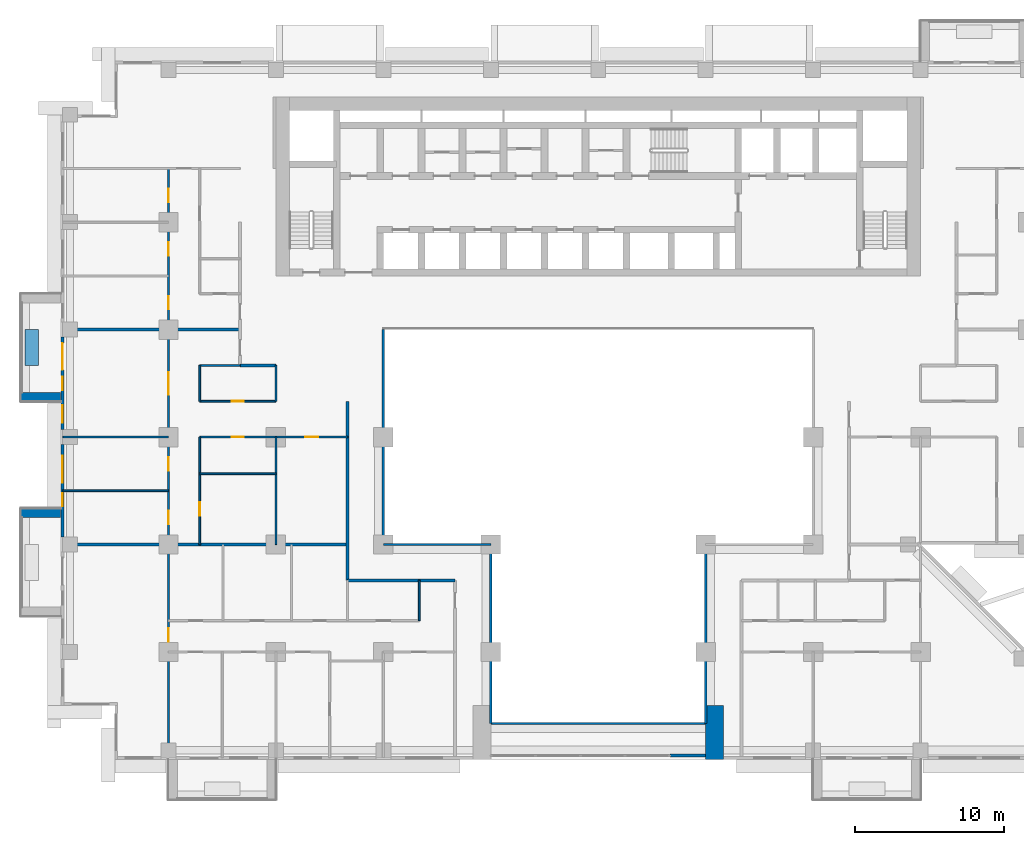
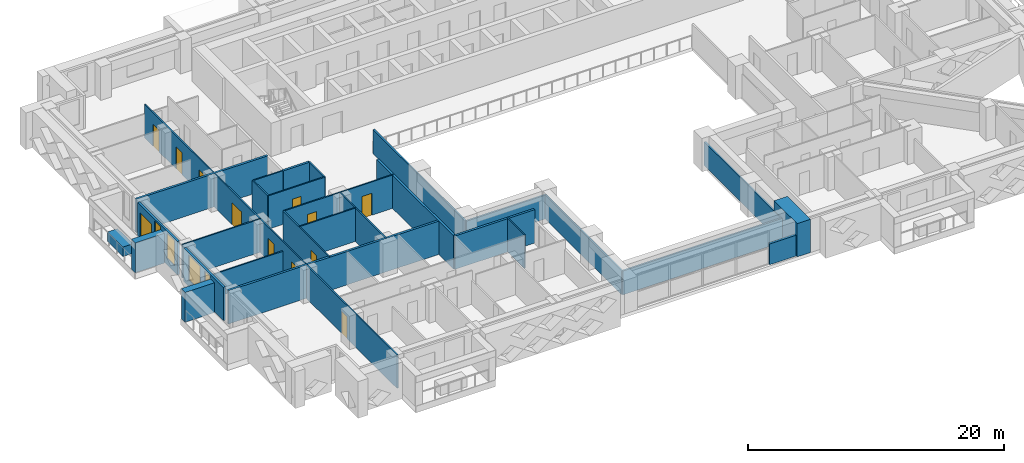
# One storey, part 7 of 16: 29 walls, 12 doors, 4 windows, 16 openings.
"""IFC4 building model written with IfcOpenShell, lengths in metres."""

from ifc_helpers import new_model, si_unit, direction, frame, frame_2d, origin, place, context, subcontext, project, spatial, rectangle, extrude, material, layer, layer_set, type_object, element, fill, save


model = new_model("IFC4")

# Units and contexts
model_context = context("Model", 3, precision=1e-05, world=origin(), true_north=direction((0.0, 1.0)))
body_context = subcontext(model_context, "Body", "Model", "MODEL_VIEW")
ifc_project = project(units=[si_unit("LENGTHUNIT", "METRE"), si_unit("AREAUNIT", "SQUARE_METRE"), si_unit("VOLUMEUNIT", "CUBIC_METRE"), si_unit("PLANEANGLEUNIT", "RADIAN"), si_unit("MASSUNIT", "GRAM", prefix="KILO")], contexts=[model_context])

# Site, building, storey
site_placement = place(None, origin())
site = spatial("IfcSite", under=ifc_project, at=site_placement, CompositionType="ELEMENT")
building_placement = place(site_placement, origin())
building = spatial("IfcBuilding", under=site, at=building_placement, Name="Saffron Iwan Residences", CompositionType="ELEMENT")
storey_placement = place(building_placement, frame((0.0, 0.0, 65.5)))
storey = spatial("IfcBuildingStorey", under=building, at=storey_placement, Name="L16", CompositionType="ELEMENT", Elevation=65.5)

# Walls
ifc_material_1 = material(Name="Fire-rated glazing", Category="glass")
ifc_layer_1 = layer(ifc_material_1, 0.14990234375)
ifc_layer_set_1 = layer_set([ifc_layer_1], Name="Fire-rated glazing")
wall_type_1 = type_object("IfcWallType", Name="Atrium glazed screen 150", PredefinedType="SOLIDWALL", material=ifc_layer_set_1)
wall_1_placement = place(storey_placement, frame((43.199951171875, 36.0, 0.0), z_axis=(0.0, 0.0, 1.0), x_axis=(1.0, 0.0, 0.0)))
element("IfcWall", 1, at=wall_1_placement, inside=storey, type_object=wall_type_1, Name="W-L16-SCREEN-h36-43.2", PredefinedType="SOLIDWALL", context=body_context, shape_type="SweptSolid", body=[
    extrude(rectangle(XDim=14.400146484375, YDim=0.14990234375, at=frame_2d((7.2001953125, 0.0))), origin(), (0.0, 0.0, 1.0), 2.280029296875),
])
wall_2_placement = place(storey_placement, frame((36.0, 48.0, 0.0), z_axis=(0.0, 0.0, 1.0), x_axis=(1.0, 0.0, 0.0)))
element("IfcWall", 2, at=wall_2_placement, inside=storey, type_object=wall_type_1, Name="W-L16-SCREEN-h48-36", PredefinedType="SOLIDWALL", context=body_context, shape_type="SweptSolid", body=[
    extrude(rectangle(XDim=7.199951171875, YDim=0.14990234375, at=frame_2d((3.60009765625, 0.0))), origin(), (0.0, 0.0, 1.0), 2.280029296875),
])
wall_3_placement = place(storey_placement, frame((36.0, 48.0, 0.0), z_axis=(0.0, 0.0, 1.0), x_axis=(0.0, 1.0, 0.0)))
element("IfcWall", 3, at=wall_3_placement, inside=storey, type_object=wall_type_1, Name="W-L16-SCREEN-v36-48", PredefinedType="SOLIDWALL", context=body_context, shape_type="SweptSolid", body=[
    extrude(rectangle(XDim=14.39990234375, YDim=0.14990234375, at=frame_2d((7.199951171875, 0.0))), origin(), (0.0, 0.0, 1.0), 2.280029296875),
])
for number, where, z_axis, x_axis, name in (
    (4, (43.199951171875, 36.0, 0.0), (0.0, 0.0, 1.0), (0.0, 1.0, 0.0), "W-L16-SCREEN-v43.2-36"),
    (5, (57.60009765625, 36.0, 0.0), (0.0, 0.0, 1.0), (0.0, 1.0, 0.0), "W-L16-SCREEN-v57.6-36"),
):
    element("IfcWall", number, at=place(storey_placement, frame(where, z_axis=z_axis, x_axis=x_axis)), inside=storey, type_object=wall_type_1, Name=name, PredefinedType="SOLIDWALL", context=body_context, shape_type="SweptSolid", body=[
        extrude(rectangle(XDim=12.0, YDim=0.14990234375, at=frame_2d((6.0, 0.0))), origin(), (0.0, 0.0, 1.0), 2.280029296875),
    ])
ifc_material_2 = material(Name="Concrete C50/60 white painted", Category="concrete")
ifc_layer_2 = layer(ifc_material_2, 0.60009765625)
ifc_layer_set_2 = layer_set([ifc_layer_2], Name="Concrete C50/60 white painted")
wall_type_2 = type_object("IfcWallType", Name="BALCONY FIN 600", PredefinedType="SOLIDWALL", material=ifc_layer_set_2)
for number, where, z_axis, x_axis, name in (
    (6, (14.35009765625, 57.89990234375, 0.0), (0.0, 0.0, 1.0), (-1.0, 0.0, 0.0), "Balcony fin L16 F8-0b"),
    (7, (14.35009765625, 50.10009765625, 0.0), (0.0, 0.0, 1.0), (-1.0, 0.0, 0.0), "Balcony fin L16 F8-1a"),
):
    element("IfcWall", number, at=place(storey_placement, frame(where, z_axis=z_axis, x_axis=x_axis)), inside=storey, type_object=wall_type_2, Name=name, PredefinedType="SOLIDWALL", context=body_context, shape_type="SweptSolid", body=[
        extrude(rectangle(XDim=2.650146484375, YDim=0.60009765625, at=frame_2d((1.3251953125, 0.0))), origin(), (0.0, 0.0, 1.0), 2.85009765625),
    ])
ifc_material_3 = material(Name="Concrete C35/45 white painted", Category="concrete")
ifc_layer_3 = layer(ifc_material_3, 0.14990234375)
ifc_layer_set_3 = layer_set([ifc_layer_3], Name="Concrete C35/45 white painted")
wall_type_3 = type_object("IfcWallType", Name="BALCONY PLANTER", PredefinedType="SOLIDWALL", material=ifc_layer_set_3)
wall_4_placement = place(storey_placement, frame((12.425048828125, 62.39990234375, 0.0), z_axis=(0.0, 0.0, 1.0), x_axis=(0.0, -1.0, 0.0)))
element("IfcWall", 8, at=wall_4_placement, inside=storey, type_object=wall_type_3, Name="PLANTER L16 F8-0", PredefinedType="SOLIDWALL", context=body_context, shape_type="SweptSolid", body=[
    extrude(rectangle(XDim=2.39990234375, YDim=0.89990234375, at=frame_2d((1.199951171875, 0.0))), origin(), (0.0, 0.0, 1.0), 0.89990234375),
])

# Wall, openings, door, windows
ifc_material_4 = material(Name="Concrete C40/50", Category="concrete")
ifc_layer_4 = layer(ifc_material_4, 0.199951171875)
ifc_layer_set_4 = layer_set([ifc_layer_4], Name="Concrete C40/50")
wall_type_4 = type_object("IfcWallType", Name="EXTERNAL WALL 200", PredefinedType="SOLIDWALL", material=ifc_layer_set_4)
wall_5_placement = place(storey_placement, frame((14.5, 61.89990234375, 0.0), z_axis=(0.0, 0.0, 1.0), x_axis=(0.0, -1.0, 0.0)))
wall_5 = element("IfcWall", 9, at=wall_5_placement, inside=storey, type_object=wall_type_4, Name="External wall L16 F8.2", PredefinedType="SOLIDWALL", context=body_context, shape_type="SweptSolid", body=[
    extrude(rectangle(XDim=6.199951171875, YDim=0.199951171875, at=frame_2d((3.10009765625, 0.0))), origin(), (0.0, 0.0, 1.0), 3.179931640625),
])
opening_1_placement = place(wall_5_placement, frame((0.39990234375, 0.0, 0.0)))
opening_1 = element("IfcOpeningElement", 10, at=opening_1_placement, cuts=wall_5, Name="Opening BD1", PredefinedType="OPENING", context=body_context, shape_type="SweptSolid", body=[
    extrude(rectangle(XDim=1.800048828125, YDim=2.39990234375, at=frame_2d((0.89990234375, 1.199951171875))), frame((0.0, 0.10986328125, 0.0), z_axis=(0.0, -1.0, 0.0), x_axis=(1.0, 0.0, 0.0)), (0.0, 0.0, 1.0), 0.219970703125),
])
opening_2_placement = place(wall_5_placement, frame((2.64990234375, 0.0, 0.60009765625)))
opening_2 = element("IfcOpeningElement", 11, at=opening_2_placement, cuts=wall_5, Name="Opening W10", PredefinedType="OPENING", context=body_context, shape_type="SweptSolid", body=[
    extrude(rectangle(XDim=0.89990234375, YDim=2.39990234375, at=frame_2d((0.449951171875, 1.199951171875))), frame((0.0, 0.10986328125, 0.0), z_axis=(0.0, -1.0, 0.0), x_axis=(1.0, 0.0, 0.0)), (0.0, 0.0, 1.0), 0.219970703125),
])
opening_3_placement = place(wall_5_placement, frame((4.550048828125, 0.0, 0.60009765625)))
opening_3 = element("IfcOpeningElement", 12, at=opening_3_placement, cuts=wall_5, Name="Opening W3", PredefinedType="OPENING", context=body_context, shape_type="SweptSolid", body=[
    extrude(rectangle(XDim=1.199951171875, YDim=2.39990234375, at=frame_2d((0.60009765625, 1.199951171875))), frame((0.0, 0.10986328125, 0.0), z_axis=(0.0, -1.0, 0.0), x_axis=(1.0, 0.0, 0.0)), (0.0, 0.0, 1.0), 0.219970703125),
])
ifc_material_5 = material(Name="Clear glass, laminated double glazed", Category="glass")
door_type_1 = type_object("IfcDoorType", Name="BALCONY DOOR 1800 x 2400", OperationType="DOUBLE_DOOR_SLIDING", PredefinedType="DOOR", material=ifc_material_5)
door_1_placement = place(opening_1_placement, origin())
door_1 = element("IfcDoor", 13, at=door_1_placement, inside=storey, type_object=door_type_1, Name="Balcony door L16 F8.0", OperationType="DOUBLE_DOOR_SLIDING", OverallHeight=2.39990234375, OverallWidth=1.800048828125, PredefinedType="DOOR", context=body_context, shape_type="SweptSolid", body=[
    extrude(rectangle(XDim=1.800048828125, YDim=2.39990234375, at=frame_2d((0.89990234375, 1.199951171875))), frame((0.0, 0.02490234375, 0.0), z_axis=(0.0, -1.0, 0.0), x_axis=(1.0, 0.0, 0.0)), (0.0, 0.0, 1.0), 0.050048828125),
])
fill(opening_1, door_1)
window_type_1 = type_object("IfcWindowType", Name="WINDOW 1200 x 2400", PartitioningType="SINGLE_PANEL", PredefinedType="WINDOW", material=ifc_material_5)
window_1_placement = place(opening_3_placement, origin())
window_1 = element("IfcWindow", 14, at=window_1_placement, inside=storey, type_object=window_type_1, Name="Window L16 F8.2", OverallHeight=2.39990234375, OverallWidth=1.199951171875, PartitioningType="SINGLE_PANEL", PredefinedType="WINDOW", context=body_context, shape_type="SweptSolid", body=[
    extrude(rectangle(XDim=1.199951171875, YDim=2.39990234375, at=frame_2d((0.60009765625, 1.199951171875))), frame((0.0, 0.030029296875, 0.0), z_axis=(0.0, -1.0, 0.0), x_axis=(1.0, 0.0, 0.0)), (0.0, 0.0, 1.0), 0.06005859375),
])
fill(opening_3, window_1)
window_type_2 = type_object("IfcWindowType", Name="WINDOW 900 x 2400", PartitioningType="SINGLE_PANEL", PredefinedType="WINDOW", material=ifc_material_5)
window_2_placement = place(opening_2_placement, origin())
window_2 = element("IfcWindow", 15, at=window_2_placement, inside=storey, type_object=window_type_2, Name="Window L16 F8.1", OverallHeight=2.39990234375, OverallWidth=0.89990234375, PartitioningType="SINGLE_PANEL", PredefinedType="WINDOW", context=body_context, shape_type="SweptSolid", body=[
    extrude(rectangle(XDim=0.89990234375, YDim=2.39990234375, at=frame_2d((0.449951171875, 1.199951171875))), frame((0.0, 0.030029296875, 0.0), z_axis=(0.0, -1.0, 0.0), x_axis=(1.0, 0.0, 0.0)), (0.0, 0.0, 1.0), 0.06005859375),
])
fill(opening_2, window_2)

# Wall, openings, windows
wall_6_placement = place(storey_placement, frame((14.5, 54.699951171875, 0.0), z_axis=(0.0, 0.0, 1.0), x_axis=(0.0, -1.0, 0.0)))
wall_6 = element("IfcWall", 16, at=wall_6_placement, inside=storey, type_object=wall_type_4, Name="External wall L16 F8.3", PredefinedType="SOLIDWALL", context=body_context, shape_type="SweptSolid", body=[
    extrude(rectangle(XDim=6.199951171875, YDim=0.199951171875, at=frame_2d((3.10009765625, 0.0))), origin(), (0.0, 0.0, 1.0), 3.179931640625),
])
opening_4_placement = place(wall_6_placement, frame((3.25, 0.0, 0.60009765625)))
opening_4 = element("IfcOpeningElement", 17, at=opening_4_placement, cuts=wall_6, Name="Opening W10", PredefinedType="OPENING", context=body_context, shape_type="SweptSolid", body=[
    extrude(rectangle(XDim=0.89990234375, YDim=2.39990234375, at=frame_2d((0.449951171875, 1.199951171875))), frame((0.0, 0.10986328125, 0.0), z_axis=(0.0, -1.0, 0.0), x_axis=(1.0, 0.0, 0.0)), (0.0, 0.0, 1.0), 0.219970703125),
])
opening_5_placement = place(wall_6_placement, frame((0.75, 0.0, 0.60009765625)))
opening_5 = element("IfcOpeningElement", 18, at=opening_5_placement, cuts=wall_6, Name="Opening W8", PredefinedType="OPENING", context=body_context, shape_type="SweptSolid", body=[
    extrude(rectangle(XDim=1.800048828125, YDim=2.39990234375, at=frame_2d((0.89990234375, 1.199951171875))), frame((0.0, 0.10986328125, 0.0), z_axis=(0.0, -1.0, 0.0), x_axis=(1.0, 0.0, 0.0)), (0.0, 0.0, 1.0), 0.219970703125),
])
window_type_3 = type_object("IfcWindowType", Name="WINDOW 1800 x 2400", PartitioningType="DOUBLE_PANEL_VERTICAL", PredefinedType="WINDOW", material=ifc_material_5)
window_3_placement = place(opening_5_placement, origin())
window_3 = element("IfcWindow", 19, at=window_3_placement, inside=storey, type_object=window_type_3, Name="Window L16 F8.1", OverallHeight=2.39990234375, OverallWidth=1.800048828125, PartitioningType="DOUBLE_PANEL_VERTICAL", PredefinedType="WINDOW", context=body_context, shape_type="SweptSolid", body=[
    extrude(rectangle(XDim=1.800048828125, YDim=2.39990234375, at=frame_2d((0.89990234375, 1.199951171875))), frame((0.0, 0.030029296875, 0.0), z_axis=(0.0, -1.0, 0.0), x_axis=(1.0, 0.0, 0.0)), (0.0, 0.0, 1.0), 0.06005859375),
])
fill(opening_5, window_3)
window_4_placement = place(opening_4_placement, origin())
window_4 = element("IfcWindow", 20, at=window_4_placement, inside=storey, type_object=window_type_2, Name="Window L16 F8.0", OverallHeight=2.39990234375, OverallWidth=0.89990234375, PartitioningType="SINGLE_PANEL", PredefinedType="WINDOW", context=body_context, shape_type="SweptSolid", body=[
    extrude(rectangle(XDim=0.89990234375, YDim=2.39990234375, at=frame_2d((0.449951171875, 1.199951171875))), frame((0.0, 0.030029296875, 0.0), z_axis=(0.0, -1.0, 0.0), x_axis=(1.0, 0.0, 0.0)), (0.0, 0.0, 1.0), 0.06005859375),
])
fill(opening_4, window_4)

# Walls
wall_7_placement = place(storey_placement, frame((55.199951171875, 33.85009765625, 0.0), z_axis=(0.0, 0.0, 1.0), x_axis=(1.0, 0.0, 0.0)))
element("IfcWall", 21, at=wall_7_placement, inside=storey, type_object=wall_type_4, Name="External wall infill CWB-L16-0", PredefinedType="SOLIDWALL", context=body_context, shape_type="SweptSolid", body=[
    extrude(rectangle(XDim=2.400146484375, YDim=0.199951171875, at=frame_2d((1.2001953125, 0.0))), origin(), (0.0, 0.0, 1.0), 1.97998046875),
])
ifc_material_6 = material(Name="Fire-rated gypsum board wall")
ifc_layer_5 = layer(ifc_material_6, 0.199951171875)
ifc_layer_set_5 = layer_set([ifc_layer_5], Name="Fire-rated gypsum board wall")
wall_type_5 = type_object("IfcWallType", Name="Flat demising wall 200", PredefinedType="SOLIDWALL", material=ifc_layer_set_5)
wall_8_placement = place(storey_placement, frame((14.52490234375, 48.0, 0.0), z_axis=(0.0, 0.0, 1.0), x_axis=(1.0, 0.0, 0.0)))
element("IfcWall", 22, at=wall_8_placement, inside=storey, type_object=wall_type_5, Name="W-L16-DEMISE-h48-14.525", PredefinedType="SOLIDWALL", context=body_context, shape_type="SweptSolid", body=[
    extrude(rectangle(XDim=19.0751953125, YDim=0.199951171875, at=frame_2d((9.53759765625, 0.0))), origin(), (0.0, 0.0, 1.0), 3.179931640625),
])
wall_9_placement = place(storey_placement, frame((14.52490234375, 62.39990234375, 0.0), z_axis=(0.0, 0.0, 1.0), x_axis=(1.0, 0.0, 0.0)))
element("IfcWall", 23, at=wall_9_placement, inside=storey, type_object=wall_type_5, Name="W-L16-DEMISE-h62.4-14.525", PredefinedType="SOLIDWALL", context=body_context, shape_type="SweptSolid", body=[
    extrude(rectangle(XDim=11.875, YDim=0.199951171875, at=frame_2d((5.9375, 0.0))), origin(), (0.0, 0.0, 1.0), 3.179931640625),
])
ifc_material_7 = material(Name="Gypsum board partition")
ifc_layer_6 = layer(ifc_material_7, 0.1201171875)
ifc_layer_set_6 = layer_set([ifc_layer_6], Name="Gypsum board partition")
wall_type_6 = type_object("IfcWallType", Name="Flat partition 120", PredefinedType="PARTITIONING", material=ifc_layer_set_6)
wall_10_placement = place(storey_placement, frame((14.52490234375, 51.60009765625, 0.0), z_axis=(0.0, 0.0, 1.0), x_axis=(1.0, 0.0, 0.0)))
element("IfcWall", 24, at=wall_10_placement, inside=storey, type_object=wall_type_6, Name="W-L16-PART-h51.6-14.525", PredefinedType="PARTITIONING", context=body_context, shape_type="SweptSolid", body=[
    extrude(rectangle(XDim=7.0751953125, YDim=0.1201171875, at=frame_2d((3.53759765625, 0.0))), origin(), (0.0, 0.0, 1.0), 2.280029296875),
])
wall_11_placement = place(storey_placement, frame((23.699951171875, 52.75, 0.0), z_axis=(0.0, 0.0, 1.0), x_axis=(1.0, 0.0, 0.0)))
element("IfcWall", 25, at=wall_11_placement, inside=storey, type_object=wall_type_6, Name="W-L16-PART-h52.75-23.7", PredefinedType="PARTITIONING", context=body_context, shape_type="SweptSolid", body=[
    extrude(rectangle(XDim=5.10009765625, YDim=0.1201171875, at=frame_2d((2.550048828125, 0.0))), origin(), (0.0, 0.0, 1.0), 3.179931640625),
])
wall_12_placement = place(storey_placement, frame((14.52490234375, 55.199951171875, 0.0), z_axis=(0.0, 0.0, 1.0), x_axis=(1.0, 0.0, 0.0)))
element("IfcWall", 26, at=wall_12_placement, inside=storey, type_object=wall_type_6, Name="W-L16-PART-h55.2-14.525", PredefinedType="PARTITIONING", context=body_context, shape_type="SweptSolid", body=[
    extrude(rectangle(XDim=7.0751953125, YDim=0.1201171875, at=frame_2d((3.53759765625, 0.0))), origin(), (0.0, 0.0, 1.0), 3.179931640625),
])

# Wall, openings, doors
wall_13_placement = place(storey_placement, frame((23.699951171875, 55.199951171875, 0.0), z_axis=(0.0, 0.0, 1.0), x_axis=(1.0, 0.0, 0.0)))
wall_13 = element("IfcWall", 27, at=wall_13_placement, inside=storey, type_object=wall_type_6, Name="W-L16-PART-h55.2-23.7", PredefinedType="PARTITIONING", context=body_context, shape_type="SweptSolid", body=[
    extrude(rectangle(XDim=9.900146484375, YDim=0.1201171875, at=frame_2d((4.9501953125, 0.0))), origin(), (0.0, 0.0, 1.0), 3.179931640625),
])
opening_6_placement = place(wall_13_placement, frame((2.14990234375, 0.0, 0.0)))
opening_6 = element("IfcOpeningElement", 28, at=opening_6_placement, cuts=wall_13, Name="Opening FD3", PredefinedType="OPENING", context=body_context, shape_type="SweptSolid", body=[
    extrude(rectangle(XDim=0.800048828125, YDim=2.10009765625, at=frame_2d((0.39990234375, 1.050048828125))), frame((0.0, 0.070068359375, 0.0), z_axis=(0.0, -1.0, 0.0), x_axis=(1.0, 0.0, 0.0)), (0.0, 0.0, 1.0), 0.14013671875),
])
opening_7_placement = place(wall_13_placement, frame((7.050048828125, 0.0, 0.0)))
opening_7 = element("IfcOpeningElement", 29, at=opening_7_placement, cuts=wall_13, Name="Opening FD2", PredefinedType="OPENING", context=body_context, shape_type="SweptSolid", body=[
    extrude(rectangle(XDim=0.89990234375, YDim=2.10009765625, at=frame_2d((0.449951171875, 1.050048828125))), frame((0.0, 0.070068359375, 0.0), z_axis=(0.0, -1.0, 0.0), x_axis=(1.0, 0.0, 0.0)), (0.0, 0.0, 1.0), 0.14013671875),
])
ifc_material_8 = material(Name="Timber door", Category="wood")
door_type_2 = type_object("IfcDoorType", Name="Bathroom door 800", OperationType="NOTDEFINED", PredefinedType="DOOR", material=ifc_material_8)
door_2_placement = place(opening_6_placement, origin())
door_2 = element("IfcDoor", 30, at=door_2_placement, inside=storey, type_object=door_type_2, Name="Door L16-017", OperationType="SINGLE_SWING_LEFT", OverallHeight=2.10009765625, OverallWidth=0.800048828125, PredefinedType="DOOR", context=body_context, shape_type="SweptSolid", body=[
    extrude(rectangle(XDim=0.800048828125, YDim=2.10009765625, at=frame_2d((0.39990234375, 1.050048828125))), frame((0.0, 0.02490234375, 0.0), z_axis=(0.0, -1.0, 0.0), x_axis=(1.0, 0.0, 0.0)), (0.0, 0.0, 1.0), 0.050048828125),
])
fill(opening_6, door_2)
door_type_3 = type_object("IfcDoorType", Name="Flat door 900", OperationType="NOTDEFINED", PredefinedType="DOOR", material=ifc_material_8)
door_3_placement = place(opening_7_placement, origin())
door_3 = element("IfcDoor", 31, at=door_3_placement, inside=storey, type_object=door_type_3, Name="Door L16-019", OperationType="SINGLE_SWING_LEFT", OverallHeight=2.10009765625, OverallWidth=0.89990234375, PredefinedType="DOOR", context=body_context, shape_type="SweptSolid", body=[
    extrude(rectangle(XDim=0.89990234375, YDim=2.10009765625, at=frame_2d((0.449951171875, 1.050048828125))), frame((0.0, 0.02490234375, 0.0), z_axis=(0.0, -1.0, 0.0), x_axis=(1.0, 0.0, 0.0)), (0.0, 0.0, 1.0), 0.050048828125),
])
fill(opening_7, door_3)

# Wall, opening, door
wall_14_placement = place(storey_placement, frame((23.699951171875, 57.60009765625, 0.0), z_axis=(0.0, 0.0, 1.0), x_axis=(1.0, 0.0, 0.0)))
wall_14 = element("IfcWall", 32, at=wall_14_placement, inside=storey, type_object=wall_type_6, Name="W-L16-PART-h57.6-23.7", PredefinedType="PARTITIONING", context=body_context, shape_type="SweptSolid", body=[
    extrude(rectangle(XDim=5.10009765625, YDim=0.1201171875, at=frame_2d((2.550048828125, 0.0))), origin(), (0.0, 0.0, 1.0), 3.179931640625),
])
opening_8_placement = place(wall_14_placement, frame((2.14990234375, 0.0, 0.0)))
opening_8 = element("IfcOpeningElement", 33, at=opening_8_placement, cuts=wall_14, Name="Opening FD3", PredefinedType="OPENING", context=body_context, shape_type="SweptSolid", body=[
    extrude(rectangle(XDim=0.800048828125, YDim=2.10009765625, at=frame_2d((0.39990234375, 1.050048828125))), frame((0.0, 0.070068359375, 0.0), z_axis=(0.0, -1.0, 0.0), x_axis=(1.0, 0.0, 0.0)), (0.0, 0.0, 1.0), 0.14013671875),
])
door_4_placement = place(opening_8_placement, origin())
door_4 = element("IfcDoor", 34, at=door_4_placement, inside=storey, type_object=door_type_2, Name="Door L16-018", OperationType="SINGLE_SWING_RIGHT", OverallHeight=2.10009765625, OverallWidth=0.800048828125, PredefinedType="DOOR", context=body_context, shape_type="SweptSolid", body=[
    extrude(rectangle(XDim=0.800048828125, YDim=2.10009765625, at=frame_2d((0.39990234375, 1.050048828125))), frame((0.0, 0.02490234375, 0.0), z_axis=(0.0, -1.0, 0.0), x_axis=(1.0, 0.0, 0.0)), (0.0, 0.0, 1.0), 0.050048828125),
])
fill(opening_8, door_4)

# Wall
wall_15_placement = place(storey_placement, frame((23.699951171875, 60.0, 0.0), z_axis=(0.0, 0.0, 1.0), x_axis=(1.0, 0.0, 0.0)))
element("IfcWall", 35, at=wall_15_placement, inside=storey, type_object=wall_type_6, Name="W-L16-PART-h60-23.7", PredefinedType="PARTITIONING", context=body_context, shape_type="SweptSolid", body=[
    extrude(rectangle(XDim=2.699951171875, YDim=0.1201171875, at=frame_2d((1.35009765625, 0.0))), origin(), (0.0, 0.0, 1.0), 3.179931640625),
])

# Wall, openings, doors
wall_16_placement = place(storey_placement, frame((21.60009765625, 33.72509765625, 0.0), z_axis=(0.0, 0.0, 1.0), x_axis=(0.0, 1.0, 0.0)))
wall_16 = element("IfcWall", 36, at=wall_16_placement, inside=storey, type_object=wall_type_6, Name="W-L16-PART-v21.6-33.725", PredefinedType="PARTITIONING", context=body_context, shape_type="SweptSolid", body=[
    extrude(rectangle(XDim=39.474853515625, YDim=0.1201171875, at=frame_2d((19.7373046875, 0.0))), origin(), (0.0, 0.0, 1.0), 3.179931640625),
])
opening_9_placement = place(wall_16_placement, frame((7.77490234375, 0.0, 0.0)))
opening_9 = element("IfcOpeningElement", 37, at=opening_9_placement, cuts=wall_16, Name="Opening FD2", PredefinedType="OPENING", context=body_context, shape_type="SweptSolid", body=[
    extrude(rectangle(XDim=0.89990234375, YDim=2.10009765625, at=frame_2d((0.449951171875, 1.050048828125))), frame((0.0, 0.070068359375, 0.0), z_axis=(0.0, -1.0, 0.0), x_axis=(1.0, 0.0, 0.0)), (0.0, 0.0, 1.0), 0.14013671875),
])
opening_10_placement = place(wall_16_placement, frame((15.625, 0.0, 0.0)))
opening_10 = element("IfcOpeningElement", 38, at=opening_10_placement, cuts=wall_16, Name="Opening FD2", PredefinedType="OPENING", context=body_context, shape_type="SweptSolid", body=[
    extrude(rectangle(XDim=0.89990234375, YDim=2.10009765625, at=frame_2d((0.449951171875, 1.050048828125))), frame((0.0, 0.070068359375, 0.0), z_axis=(0.0, -1.0, 0.0), x_axis=(1.0, 0.0, 0.0)), (0.0, 0.0, 1.0), 0.14013671875),
])
opening_11_placement = place(wall_16_placement, frame((19.22509765625, 0.0, 0.0)))
opening_11 = element("IfcOpeningElement", 39, at=opening_11_placement, cuts=wall_16, Name="Opening FD2", PredefinedType="OPENING", context=body_context, shape_type="SweptSolid", body=[
    extrude(rectangle(XDim=0.89990234375, YDim=2.10009765625, at=frame_2d((0.449951171875, 1.050048828125))), frame((0.0, 0.070068359375, 0.0), z_axis=(0.0, -1.0, 0.0), x_axis=(1.0, 0.0, 0.0)), (0.0, 0.0, 1.0), 0.14013671875),
])
opening_12_placement = place(wall_16_placement, frame((24.324951171875, 0.0, 0.0)))
opening_12 = element("IfcOpeningElement", 40, at=opening_12_placement, cuts=wall_16, Name="Opening FD4", PredefinedType="OPENING", context=body_context, shape_type="SweptSolid", body=[
    extrude(rectangle(XDim=1.5, YDim=2.10009765625, at=frame_2d((0.75, 1.050048828125))), frame((0.0, 0.070068359375, 0.0), z_axis=(0.0, -1.0, 0.0), x_axis=(1.0, 0.0, 0.0)), (0.0, 0.0, 1.0), 0.14013671875),
])
opening_13_placement = place(wall_16_placement, frame((30.02490234375, 0.0, 0.0)))
opening_13 = element("IfcOpeningElement", 41, at=opening_13_placement, cuts=wall_16, Name="Opening FD2", PredefinedType="OPENING", context=body_context, shape_type="SweptSolid", body=[
    extrude(rectangle(XDim=0.89990234375, YDim=2.10009765625, at=frame_2d((0.449951171875, 1.050048828125))), frame((0.0, 0.070068359375, 0.0), z_axis=(0.0, -1.0, 0.0), x_axis=(1.0, 0.0, 0.0)), (0.0, 0.0, 1.0), 0.14013671875),
])
opening_14_placement = place(wall_16_placement, frame((33.625, 0.0, 0.0)))
opening_14 = element("IfcOpeningElement", 42, at=opening_14_placement, cuts=wall_16, Name="Opening FD2", PredefinedType="OPENING", context=body_context, shape_type="SweptSolid", body=[
    extrude(rectangle(XDim=0.89990234375, YDim=2.10009765625, at=frame_2d((0.449951171875, 1.050048828125))), frame((0.0, 0.070068359375, 0.0), z_axis=(0.0, -1.0, 0.0), x_axis=(1.0, 0.0, 0.0)), (0.0, 0.0, 1.0), 0.14013671875),
])
opening_15_placement = place(wall_16_placement, frame((37.22509765625, 0.0, 0.0)))
opening_15 = element("IfcOpeningElement", 43, at=opening_15_placement, cuts=wall_16, Name="Opening FD2", PredefinedType="OPENING", context=body_context, shape_type="SweptSolid", body=[
    extrude(rectangle(XDim=0.89990234375, YDim=2.10009765625, at=frame_2d((0.449951171875, 1.050048828125))), frame((0.0, 0.070068359375, 0.0), z_axis=(0.0, -1.0, 0.0), x_axis=(1.0, 0.0, 0.0)), (0.0, 0.0, 1.0), 0.14013671875),
])
door_type_4 = type_object("IfcDoorType", Name="Double door 1500", OperationType="NOTDEFINED", PredefinedType="DOOR", material=ifc_material_8)
door_5_placement = place(opening_12_placement, origin())
door_5 = element("IfcDoor", 44, at=door_5_placement, inside=storey, type_object=door_type_4, Name="Door L16-015", OperationType="SINGLE_SWING_RIGHT", OverallHeight=2.10009765625, OverallWidth=1.5, PredefinedType="DOOR", context=body_context, shape_type="SweptSolid", body=[
    extrude(rectangle(XDim=1.5, YDim=2.10009765625, at=frame_2d((0.75, 1.050048828125))), frame((0.0, 0.02490234375, 0.0), z_axis=(0.0, -1.0, 0.0), x_axis=(1.0, 0.0, 0.0)), (0.0, 0.0, 1.0), 0.050048828125),
])
fill(opening_12, door_5)
door_6_placement = place(opening_9_placement, origin())
door_6 = element("IfcDoor", 45, at=door_6_placement, inside=storey, type_object=door_type_3, Name="Door L16-002", OperationType="SINGLE_SWING_RIGHT", OverallHeight=2.10009765625, OverallWidth=0.89990234375, PredefinedType="DOOR", context=body_context, shape_type="SweptSolid", body=[
    extrude(rectangle(XDim=0.89990234375, YDim=2.10009765625, at=frame_2d((0.449951171875, 1.050048828125))), frame((0.0, 0.02490234375, 0.0), z_axis=(0.0, -1.0, 0.0), x_axis=(1.0, 0.0, 0.0)), (0.0, 0.0, 1.0), 0.050048828125),
])
fill(opening_9, door_6)
door_7_placement = place(opening_10_placement, origin())
door_7 = element("IfcDoor", 46, at=door_7_placement, inside=storey, type_object=door_type_3, Name="Door L16-013", OperationType="SINGLE_SWING_LEFT", OverallHeight=2.10009765625, OverallWidth=0.89990234375, PredefinedType="DOOR", context=body_context, shape_type="SweptSolid", body=[
    extrude(rectangle(XDim=0.89990234375, YDim=2.10009765625, at=frame_2d((0.449951171875, 1.050048828125))), frame((0.0, 0.02490234375, 0.0), z_axis=(0.0, -1.0, 0.0), x_axis=(1.0, 0.0, 0.0)), (0.0, 0.0, 1.0), 0.050048828125),
])
fill(opening_10, door_7)
door_8_placement = place(opening_11_placement, origin())
door_8 = element("IfcDoor", 47, at=door_8_placement, inside=storey, type_object=door_type_3, Name="Door L16-014", OperationType="SINGLE_SWING_LEFT", OverallHeight=2.10009765625, OverallWidth=0.89990234375, PredefinedType="DOOR", context=body_context, shape_type="SweptSolid", body=[
    extrude(rectangle(XDim=0.89990234375, YDim=2.10009765625, at=frame_2d((0.449951171875, 1.050048828125))), frame((0.0, 0.02490234375, 0.0), z_axis=(0.0, -1.0, 0.0), x_axis=(1.0, 0.0, 0.0)), (0.0, 0.0, 1.0), 0.050048828125),
])
fill(opening_11, door_8)
door_9_placement = place(opening_13_placement, origin())
door_9 = element("IfcDoor", 48, at=door_9_placement, inside=storey, type_object=door_type_3, Name="Door L16-028", OperationType="SINGLE_SWING_LEFT", OverallHeight=2.10009765625, OverallWidth=0.89990234375, PredefinedType="DOOR", context=body_context, shape_type="SweptSolid", body=[
    extrude(rectangle(XDim=0.89990234375, YDim=2.10009765625, at=frame_2d((0.449951171875, 1.050048828125))), frame((0.0, 0.02490234375, 0.0), z_axis=(0.0, -1.0, 0.0), x_axis=(1.0, 0.0, 0.0)), (0.0, 0.0, 1.0), 0.050048828125),
])
fill(opening_13, door_9)
door_10_placement = place(opening_14_placement, origin())
door_10 = element("IfcDoor", 49, at=door_10_placement, inside=storey, type_object=door_type_3, Name="Door L16-029", OperationType="SINGLE_SWING_LEFT", OverallHeight=2.10009765625, OverallWidth=0.89990234375, PredefinedType="DOOR", context=body_context, shape_type="SweptSolid", body=[
    extrude(rectangle(XDim=0.89990234375, YDim=2.10009765625, at=frame_2d((0.449951171875, 1.050048828125))), frame((0.0, 0.02490234375, 0.0), z_axis=(0.0, -1.0, 0.0), x_axis=(1.0, 0.0, 0.0)), (0.0, 0.0, 1.0), 0.050048828125),
])
fill(opening_14, door_10)
door_11_placement = place(opening_15_placement, origin())
door_11 = element("IfcDoor", 50, at=door_11_placement, inside=storey, type_object=door_type_3, Name="Door L16-030", OperationType="SINGLE_SWING_RIGHT", OverallHeight=2.10009765625, OverallWidth=0.89990234375, PredefinedType="DOOR", context=body_context, shape_type="SweptSolid", body=[
    extrude(rectangle(XDim=0.89990234375, YDim=2.10009765625, at=frame_2d((0.449951171875, 1.050048828125))), frame((0.0, 0.02490234375, 0.0), z_axis=(0.0, -1.0, 0.0), x_axis=(1.0, 0.0, 0.0)), (0.0, 0.0, 1.0), 0.050048828125),
])
fill(opening_15, door_11)

# Wall, opening, door
wall_17_placement = place(storey_placement, frame((23.699951171875, 48.0, 0.0), z_axis=(0.0, 0.0, 1.0), x_axis=(0.0, 1.0, 0.0)))
wall_17 = element("IfcWall", 51, at=wall_17_placement, inside=storey, type_object=wall_type_6, Name="W-L16-PART-v23.7-48", PredefinedType="PARTITIONING", context=body_context, shape_type="SweptSolid", body=[
    extrude(rectangle(XDim=7.199951171875, YDim=0.1201171875, at=frame_2d((3.60009765625, 0.0))), origin(), (0.0, 0.0, 1.0), 3.179931640625),
])
opening_16_placement = place(wall_17_placement, frame((1.925048828125, 0.0, 0.0)))
opening_16 = element("IfcOpeningElement", 52, at=opening_16_placement, cuts=wall_17, Name="Opening FD2", PredefinedType="OPENING", context=body_context, shape_type="SweptSolid", body=[
    extrude(rectangle(XDim=0.89990234375, YDim=2.10009765625, at=frame_2d((0.449951171875, 1.050048828125))), frame((0.0, 0.070068359375, 0.0), z_axis=(0.0, -1.0, 0.0), x_axis=(1.0, 0.0, 0.0)), (0.0, 0.0, 1.0), 0.14013671875),
])
door_12_placement = place(opening_16_placement, origin())
door_12 = element("IfcDoor", 53, at=door_12_placement, inside=storey, type_object=door_type_3, Name="Door L16-016", OperationType="SINGLE_SWING_LEFT", OverallHeight=2.10009765625, OverallWidth=0.89990234375, PredefinedType="DOOR", context=body_context, shape_type="SweptSolid", body=[
    extrude(rectangle(XDim=0.89990234375, YDim=2.10009765625, at=frame_2d((0.449951171875, 1.050048828125))), frame((0.0, 0.02490234375, 0.0), z_axis=(0.0, -1.0, 0.0), x_axis=(1.0, 0.0, 0.0)), (0.0, 0.0, 1.0), 0.050048828125),
])
fill(opening_16, door_12)

# Walls
wall_18_placement = place(storey_placement, frame((23.699951171875, 57.60009765625, 0.0), z_axis=(0.0, 0.0, 1.0), x_axis=(0.0, 1.0, 0.0)))
element("IfcWall", 54, at=wall_18_placement, inside=storey, type_object=wall_type_6, Name="W-L16-PART-v23.7-57.6", PredefinedType="PARTITIONING", context=body_context, shape_type="SweptSolid", body=[
    extrude(rectangle(XDim=2.39990234375, YDim=0.1201171875, at=frame_2d((1.199951171875, 0.0))), origin(), (0.0, 0.0, 1.0), 3.179931640625),
])
wall_19_placement = place(storey_placement, frame((28.800048828125, 48.0, 0.0), z_axis=(0.0, 0.0, 1.0), x_axis=(0.0, 1.0, 0.0)))
element("IfcWall", 55, at=wall_19_placement, inside=storey, type_object=wall_type_6, Name="W-L16-PART-v28.8-48", PredefinedType="PARTITIONING", context=body_context, shape_type="SweptSolid", body=[
    extrude(rectangle(XDim=7.199951171875, YDim=0.1201171875, at=frame_2d((3.60009765625, 0.0))), origin(), (0.0, 0.0, 1.0), 3.179931640625),
])
wall_20_placement = place(storey_placement, frame((28.800048828125, 57.60009765625, 0.0), z_axis=(0.0, 0.0, 1.0), x_axis=(0.0, 1.0, 0.0)))
element("IfcWall", 56, at=wall_20_placement, inside=storey, type_object=wall_type_6, Name="W-L16-PART-v28.8-57.6", PredefinedType="PARTITIONING", context=body_context, shape_type="SweptSolid", body=[
    extrude(rectangle(XDim=2.39990234375, YDim=0.1201171875, at=frame_2d((1.199951171875, 0.0))), origin(), (0.0, 0.0, 1.0), 3.179931640625),
])
wall_21_placement = place(storey_placement, frame((38.39990234375, 42.89990234375, 0.0), z_axis=(0.0, 0.0, 1.0), x_axis=(0.0, 1.0, 0.0)))
element("IfcWall", 57, at=wall_21_placement, inside=storey, type_object=wall_type_6, Name="W-L16-PART-v38.4-42.9", PredefinedType="PARTITIONING", context=body_context, shape_type="SweptSolid", body=[
    extrude(rectangle(XDim=2.7001953125, YDim=0.1201171875, at=frame_2d((1.35009765625, 0.0))), origin(), (0.0, 0.0, 1.0), 3.179931640625),
])
ifc_layer_7 = layer(ifc_material_6, 0.199951171875)
ifc_layer_set_7 = layer_set([ifc_layer_7], Name="Fire-rated gypsum board wall")
wall_type_7 = type_object("IfcWallType", Name="Gallery wall 200", PredefinedType="SOLIDWALL", material=ifc_layer_set_7)
wall_22_placement = place(storey_placement, frame((33.60009765625, 45.60009765625, 0.0), z_axis=(0.0, 0.0, 1.0), x_axis=(1.0, 0.0, 0.0)))
element("IfcWall", 58, at=wall_22_placement, inside=storey, type_object=wall_type_7, Name="W-L16-CORR-h45.6-33.6", PredefinedType="SOLIDWALL", context=body_context, shape_type="SweptSolid", body=[
    extrude(rectangle(XDim=7.199951171875, YDim=0.199951171875, at=frame_2d((3.60009765625, 0.0))), origin(), (0.0, 0.0, 1.0), 3.179931640625),
])
wall_23_placement = place(storey_placement, frame((26.39990234375, 60.0, 0.0), z_axis=(0.0, 0.0, 1.0), x_axis=(1.0, 0.0, 0.0)))
element("IfcWall", 59, at=wall_23_placement, inside=storey, type_object=wall_type_7, Name="W-L16-CORR-h60-26.4", PredefinedType="SOLIDWALL", context=body_context, shape_type="SweptSolid", body=[
    extrude(rectangle(XDim=2.400146484375, YDim=0.199951171875, at=frame_2d((1.2001953125, 0.0))), origin(), (0.0, 0.0, 1.0), 3.179931640625),
])
wall_24_placement = place(storey_placement, frame((33.60009765625, 45.60009765625, 0.0), z_axis=(0.0, 0.0, 1.0), x_axis=(0.0, 1.0, 0.0)))
element("IfcWall", 60, at=wall_24_placement, inside=storey, type_object=wall_type_7, Name="W-L16-CORR-v33.6-45.6", PredefinedType="SOLIDWALL", context=body_context, shape_type="SweptSolid", body=[
    extrude(rectangle(XDim=12.0, YDim=0.199951171875, at=frame_2d((6.0, 0.0))), origin(), (0.0, 0.0, 1.0), 3.179931640625),
])
ifc_material_9 = material(Name="Concrete C60/75", Category="concrete")
ifc_layer_8 = layer(ifc_material_9, 1.199951171875)
ifc_layer_set_8 = layer_set([ifc_layer_8], Name="Concrete C60/75")
wall_type_8 = type_object("IfcWallType", Name="WALL IWAN PIER 1200 C60/75 3180 HIGH", PredefinedType="SHEAR", material=ifc_layer_set_8)
wall_25_placement = place(storey_placement, frame((58.199951171875, 33.60009765625, 0.0), z_axis=(0.0, 0.0, 1.0), x_axis=(0.0, 1.0, 0.0)))
element("IfcWall", 61, at=wall_25_placement, inside=storey, type_object=wall_type_8, Name="IWAN PIER", PredefinedType="SHEAR", context=body_context, shape_type="SweptSolid", body=[
    extrude(rectangle(XDim=3.599853515625, YDim=1.199951171875, at=frame_2d((1.7998046875, 0.0))), origin(), (0.0, 0.0, 1.0), 3.179931640625),
])

save(model, "model.ifc")
